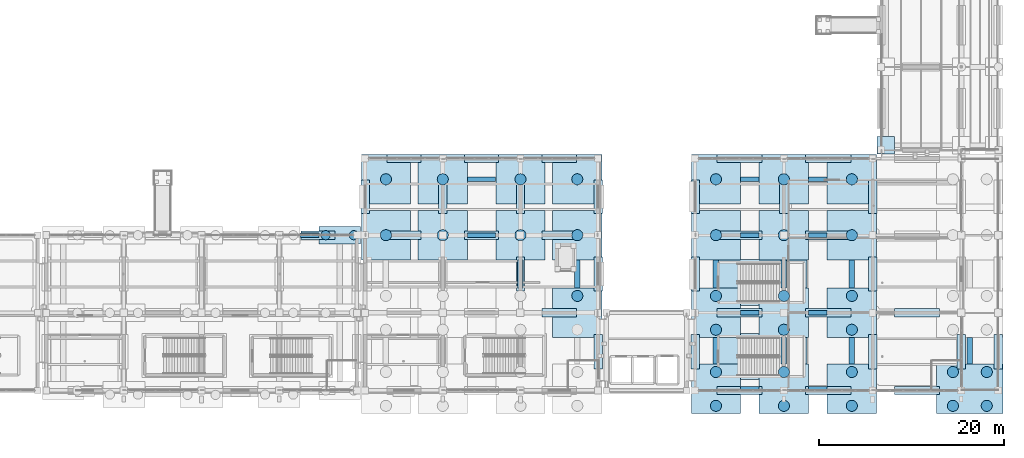
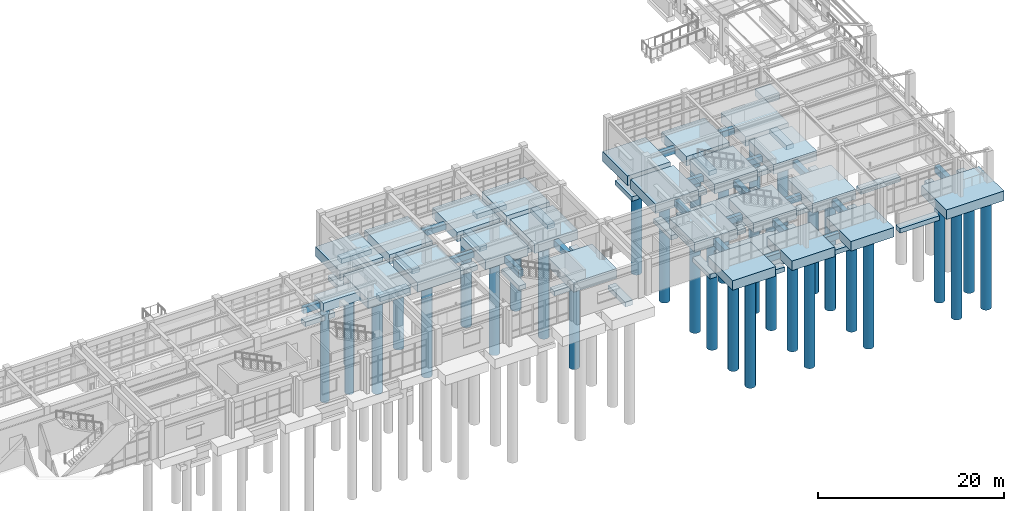
# One storey, part 2 of 111: 80 footings, 33 piles.
"""IFC4 building model written with IfcOpenShell, lengths in metres."""

from ifc_helpers import new_model, si_unit, direction, frame, origin, origin_2d, place, context, subcontext, project, spatial, rectangle, circle, extrude, material, material_profile, profile_set, type_object, element, save


model = new_model("IFC4")

# Units and contexts
model_context = context("Model", 3, precision=1e-05, world=origin(), true_north=direction((0.0, 1.0)))
body_context = subcontext(model_context, "Body", "Model", "MODEL_VIEW")
ifc_project = project(units=[si_unit("LENGTHUNIT", "METRE"), si_unit("AREAUNIT", "SQUARE_METRE"), si_unit("VOLUMEUNIT", "CUBIC_METRE"), si_unit("PLANEANGLEUNIT", "RADIAN"), si_unit("MASSUNIT", "GRAM", prefix="KILO")], contexts=[model_context])

# Site, building, storey
site_placement = place(None, origin())
site = spatial("IfcSite", under=ifc_project, at=site_placement, CompositionType="ELEMENT")
building_placement = place(site_placement, origin())
building = spatial("IfcBuilding", under=site, at=building_placement, Name="Canglan Escarpment Cableway Terminal", CompositionType="ELEMENT")
storey_placement = place(building_placement, frame((0.0, 0.0, 4.800048828125)))
storey = spatial("IfcBuildingStorey", under=building, at=storey_placement, Name="L01", CompositionType="ELEMENT", Elevation=4.800048828125)

# Footings
ifc_material = material(Name="Concrete C40", Category="concrete")
ifc_material_profile_1 = material_profile(ifc_material, rectangle(XDim=0.5, YDim=0.800048828125, at=origin_2d()), Name="FB 500x800")
ifc_profile_set_1 = profile_set([ifc_material_profile_1], Name="Concrete C40")
footing_type_1 = type_object("IfcFootingType", Name="FTG-BEAM-500x800", PredefinedType="FOOTING_BEAM", material=ifc_profile_set_1)
footing_1_placement = place(storey_placement, frame((104.467041015625, 24.800048828125, -0.699951171875), z_axis=(1.0, 0.0, 0.0), x_axis=(0.0, 1.0, 0.0)))
element("IfcFooting", 1, at=footing_1_placement, inside=storey, type_object=footing_type_1, Name="Reinforced concrete ground tie beam FB-01", PredefinedType="FOOTING_BEAM", context=body_context, shape_type="SweptSolid", body=[
    extrude(rectangle(XDim=0.5, YDim=0.800048828125, at=origin_2d()), origin(), (0.0, 0.0, 1.0), 2.02099609375),
])
for number, where, z_axis, x_axis, name in (
    (2, (122.572021484375, 24.800048828125, -0.699951171875), (1.0, 0.0, 0.0), (0.0, 1.0, 0.0), "Reinforced concrete ground tie beam FB-01"),
    (3, (122.572021484375, 30.85009765625, -0.699951171875), (1.0, 0.0, 0.0), (0.0, 1.0, 0.0), "Reinforced concrete ground tie beam FB-01"),
):
    element("IfcFooting", number, at=place(storey_placement, frame(where, z_axis=z_axis, x_axis=x_axis)), inside=storey, type_object=footing_type_1, Name=name, PredefinedType="FOOTING_BEAM", context=body_context, shape_type="SweptSolid", body=[
        extrude(rectangle(XDim=0.5, YDim=0.800048828125, at=origin_2d()), origin(), (0.0, 0.0, 1.0), 3.055908203125),
    ])
for number, where, z_axis, x_axis, name in (
    (4, (152.1220703125, 8.169921875, -0.699951171875), (1.0, 0.0, 0.0), (0.0, 1.0, 0.0), "Reinforced concrete ground tie beam FB-01"),
    (5, (152.1220703125, 16.39990234375, -0.699951171875), (1.0, 0.0, 0.0), (0.0, 1.0, 0.0), "Reinforced concrete ground tie beam FB-01"),
    (6, (152.1220703125, 24.800048828125, -0.699951171875), (1.0, 0.0, 0.0), (0.0, 1.0, 0.0), "Reinforced concrete ground tie beam FB-01"),
    (7, (152.1220703125, 30.85009765625, -0.699951171875), (1.0, 0.0, 0.0), (0.0, 1.0, 0.0), "Reinforced concrete ground tie beam FB-01"),
):
    element("IfcFooting", number, at=place(storey_placement, frame(where, z_axis=z_axis, x_axis=x_axis)), inside=storey, type_object=footing_type_1, Name=name, PredefinedType="FOOTING_BEAM", context=body_context, shape_type="SweptSolid", body=[
        extrude(rectangle(XDim=0.5, YDim=0.800048828125, at=origin_2d()), origin(), (0.0, 0.0, 1.0), 2.005859375),
    ])
for number, where, z_axis, x_axis, name in (
    (8, (159.471923828125, 8.169921875, -0.699951171875), (1.0, 0.0, 0.0), (0.0, 1.0, 0.0), "Reinforced concrete ground tie beam FB-01"),
    (9, (159.471923828125, 16.39990234375, -0.699951171875), (1.0, 0.0, 0.0), (0.0, 1.0, 0.0), "Reinforced concrete ground tie beam FB-01"),
    (10, (159.471923828125, 24.800048828125, -0.699951171875), (1.0, 0.0, 0.0), (0.0, 1.0, 0.0), "Reinforced concrete ground tie beam FB-01"),
    (11, (159.471923828125, 30.85009765625, -0.699951171875), (1.0, 0.0, 0.0), (0.0, 1.0, 0.0), "Reinforced concrete ground tie beam FB-01"),
):
    element("IfcFooting", number, at=place(storey_placement, frame(where, z_axis=z_axis, x_axis=x_axis)), inside=storey, type_object=footing_type_1, Name=name, PredefinedType="FOOTING_BEAM", context=body_context, shape_type="SweptSolid", body=[
        extrude(rectangle(XDim=0.5, YDim=0.800048828125, at=origin_2d()), origin(), (0.0, 0.0, 1.0), 2.006103515625),
    ])
ifc_material_profile_2 = material_profile(ifc_material, rectangle(XDim=0.60009765625, YDim=0.89990234375, at=origin_2d()), Name="FB 600x900")
ifc_profile_set_2 = profile_set([ifc_material_profile_2], Name="Concrete C40")
footing_type_2 = type_object("IfcFootingType", Name="FTG-BEAM-600x900", PredefinedType="FOOTING_BEAM", material=ifc_profile_set_2)
for number, where, z_axis, x_axis, name in (
    (12, (128.300048828125, 19.072021484375, -0.75), (0.0, 1.0, 0.0), (-1.0, 0.0, 0.0), "Reinforced concrete ground tie beam FB-02"),
    (13, (134.449951171875, 19.072021484375, -0.75), (0.0, 1.0, 0.0), (-1.0, 0.0, 0.0), "Reinforced concrete ground tie beam FB-02"),
):
    element("IfcFooting", number, at=place(storey_placement, frame(where, z_axis=z_axis, x_axis=x_axis)), inside=storey, type_object=footing_type_2, Name=name, PredefinedType="FOOTING_BEAM", context=body_context, shape_type="SweptSolid", body=[
        extrude(rectangle(XDim=0.60009765625, YDim=0.89990234375, at=origin_2d()), origin(), (0.0, 0.0, 1.0), 3.055908203125),
    ])
footing_2_placement = place(storey_placement, frame((149.449951171875, 10.842041015625, -0.75), z_axis=(0.0, 1.0, 0.0), x_axis=(-1.0, 0.0, 0.0)))
element("IfcFooting", 14, at=footing_2_placement, inside=storey, type_object=footing_type_2, Name="Reinforced concrete ground tie beam FB-02", PredefinedType="FOOTING_BEAM", context=body_context, shape_type="SweptSolid", body=[
    extrude(rectangle(XDim=0.60009765625, YDim=0.89990234375, at=origin_2d()), origin(), (0.0, 0.0, 1.0), 2.885986328125),
])
footing_3_placement = place(storey_placement, frame((149.449951171875, 19.072021484375, -0.75), z_axis=(0.0, 1.0, 0.0), x_axis=(-1.0, 0.0, 0.0)))
element("IfcFooting", 15, at=footing_3_placement, inside=storey, type_object=footing_type_2, Name="Reinforced concrete ground tie beam FB-02", PredefinedType="FOOTING_BEAM", context=body_context, shape_type="SweptSolid", body=[
    extrude(rectangle(XDim=0.60009765625, YDim=0.89990234375, at=origin_2d()), origin(), (0.0, 0.0, 1.0), 3.055908203125),
])
footing_4_placement = place(storey_placement, frame((156.800048828125, 10.842041015625, -0.75), z_axis=(0.0, 1.0, 0.0), x_axis=(-1.0, 0.0, 0.0)))
element("IfcFooting", 16, at=footing_4_placement, inside=storey, type_object=footing_type_2, Name="Reinforced concrete ground tie beam FB-02", PredefinedType="FOOTING_BEAM", context=body_context, shape_type="SweptSolid", body=[
    extrude(rectangle(XDim=0.60009765625, YDim=0.89990234375, at=origin_2d()), origin(), (0.0, 0.0, 1.0), 2.885986328125),
])
footing_5_placement = place(storey_placement, frame((156.800048828125, 19.072021484375, -0.75), z_axis=(0.0, 1.0, 0.0), x_axis=(-1.0, 0.0, 0.0)))
element("IfcFooting", 17, at=footing_5_placement, inside=storey, type_object=footing_type_2, Name="Reinforced concrete ground tie beam FB-02", PredefinedType="FOOTING_BEAM", context=body_context, shape_type="SweptSolid", body=[
    extrude(rectangle(XDim=0.60009765625, YDim=0.89990234375, at=origin_2d()), origin(), (0.0, 0.0, 1.0), 3.055908203125),
])
footing_6_placement = place(storey_placement, frame((164.14990234375, 10.842041015625, -0.75), z_axis=(0.0, 1.0, 0.0), x_axis=(-1.0, 0.0, 0.0)))
element("IfcFooting", 18, at=footing_6_placement, inside=storey, type_object=footing_type_2, Name="Reinforced concrete ground tie beam FB-02", PredefinedType="FOOTING_BEAM", context=body_context, shape_type="SweptSolid", body=[
    extrude(rectangle(XDim=0.60009765625, YDim=0.89990234375, at=origin_2d()), origin(), (0.0, 0.0, 1.0), 2.885986328125),
])
footing_7_placement = place(storey_placement, frame((164.14990234375, 19.072021484375, -0.75), z_axis=(0.0, 1.0, 0.0), x_axis=(-1.0, 0.0, 0.0)))
element("IfcFooting", 19, at=footing_7_placement, inside=storey, type_object=footing_type_2, Name="Reinforced concrete ground tie beam FB-02", PredefinedType="FOOTING_BEAM", context=body_context, shape_type="SweptSolid", body=[
    extrude(rectangle(XDim=0.60009765625, YDim=0.89990234375, at=origin_2d()), origin(), (0.0, 0.0, 1.0), 3.055908203125),
])
footing_8_placement = place(storey_placement, frame((176.9150390625, 10.842041015625, -0.75), z_axis=(0.0, 1.0, 0.0), x_axis=(-1.0, 0.0, 0.0)))
element("IfcFooting", 20, at=footing_8_placement, inside=storey, type_object=footing_type_2, Name="Reinforced concrete ground tie beam FB-02", PredefinedType="FOOTING_BEAM", context=body_context, shape_type="SweptSolid", body=[
    extrude(rectangle(XDim=0.60009765625, YDim=0.89990234375, at=origin_2d()), origin(), (0.0, 0.0, 1.0), 2.885986328125),
])
footing_type_3 = type_object("IfcFootingType", Name="FTG-CAP-4530x1920x1150", PredefinedType="PILE_CAP", material=ifc_material)
footing_9_placement = place(storey_placement, frame((108.7548828125, 24.800048828125, -1.14990234375), z_axis=(0.0, 0.0, 1.0), x_axis=(1.0, 0.0, 0.0)))
element("IfcFooting", 21, at=footing_9_placement, inside=storey, type_object=footing_type_3, Name="Reinforced concrete pile cap PC-04", PredefinedType="PILE_CAP", context=body_context, shape_type="SweptSolid", body=[
    extrude(rectangle(XDim=4.530029296875, YDim=1.919921875, at=origin_2d()), origin(), (0.0, 0.0, 1.0), 1.14990234375),
])
footing_type_4 = type_object("IfcFootingType", Name="FTG-CAP-5340x5340x1260", PredefinedType="PILE_CAP", material=ifc_material)
for number, where, z_axis, x_axis, name in (
    (22, (113.75, 24.800048828125, -1.26025390625), (0.0, 0.0, 1.0), (1.0, 0.0, 0.0), "Reinforced concrete pile cap PC-07"),
    (23, (113.75, 30.85009765625, -1.26025390625), (0.0, 0.0, 1.0), (1.0, 0.0, 0.0), "Reinforced concrete pile cap PC-07"),
    (24, (119.89990234375, 24.800048828125, -1.26025390625), (0.0, 0.0, 1.0), (1.0, 0.0, 0.0), "Reinforced concrete pile cap PC-07"),
    (25, (119.89990234375, 30.85009765625, -1.26025390625), (0.0, 0.0, 1.0), (1.0, 0.0, 0.0), "Reinforced concrete pile cap PC-07"),
    (26, (128.300048828125, 24.800048828125, -1.26025390625), (0.0, 0.0, 1.0), (1.0, 0.0, 0.0), "Reinforced concrete pile cap PC-07"),
    (27, (128.300048828125, 30.85009765625, -1.26025390625), (0.0, 0.0, 1.0), (1.0, 0.0, 0.0), "Reinforced concrete pile cap PC-07"),
    (28, (134.449951171875, 16.39990234375, -1.26025390625), (0.0, 0.0, 1.0), (1.0, 0.0, 0.0), "Reinforced concrete pile cap PC-07"),
    (29, (134.449951171875, 24.800048828125, -1.26025390625), (0.0, 0.0, 1.0), (1.0, 0.0, 0.0), "Reinforced concrete pile cap PC-07"),
    (30, (134.449951171875, 30.85009765625, -1.26025390625), (0.0, 0.0, 1.0), (1.0, 0.0, 0.0), "Reinforced concrete pile cap PC-07"),
    (31, (149.449951171875, 8.169921875, -1.26025390625), (0.0, 0.0, 1.0), (1.0, 0.0, 0.0), "Reinforced concrete pile cap PC-07"),
    (32, (149.449951171875, 16.39990234375, -1.26025390625), (0.0, 0.0, 1.0), (1.0, 0.0, 0.0), "Reinforced concrete pile cap PC-07"),
    (33, (149.449951171875, 24.800048828125, -1.26025390625), (0.0, 0.0, 1.0), (1.0, 0.0, 0.0), "Reinforced concrete pile cap PC-07"),
    (34, (149.449951171875, 30.85009765625, -1.26025390625), (0.0, 0.0, 1.0), (1.0, 0.0, 0.0), "Reinforced concrete pile cap PC-07"),
    (35, (156.800048828125, 8.169921875, -1.26025390625), (0.0, 0.0, 1.0), (1.0, 0.0, 0.0), "Reinforced concrete pile cap PC-07"),
    (36, (156.800048828125, 16.39990234375, -1.26025390625), (0.0, 0.0, 1.0), (1.0, 0.0, 0.0), "Reinforced concrete pile cap PC-07"),
    (37, (156.800048828125, 24.800048828125, -1.26025390625), (0.0, 0.0, 1.0), (1.0, 0.0, 0.0), "Reinforced concrete pile cap PC-07"),
    (38, (156.800048828125, 30.85009765625, -1.26025390625), (0.0, 0.0, 1.0), (1.0, 0.0, 0.0), "Reinforced concrete pile cap PC-07"),
    (39, (164.14990234375, 8.169921875, -1.26025390625), (0.0, 0.0, 1.0), (1.0, 0.0, 0.0), "Reinforced concrete pile cap PC-07"),
    (40, (164.14990234375, 16.39990234375, -1.26025390625), (0.0, 0.0, 1.0), (1.0, 0.0, 0.0), "Reinforced concrete pile cap PC-07"),
    (41, (164.14990234375, 24.800048828125, -1.26025390625), (0.0, 0.0, 1.0), (1.0, 0.0, 0.0), "Reinforced concrete pile cap PC-07"),
    (42, (164.14990234375, 30.85009765625, -1.26025390625), (0.0, 0.0, 1.0), (1.0, 0.0, 0.0), "Reinforced concrete pile cap PC-07"),
):
    element("IfcFooting", number, at=place(storey_placement, frame(where, z_axis=z_axis, x_axis=x_axis)), inside=storey, type_object=footing_type_4, Name=name, PredefinedType="PILE_CAP", context=body_context, shape_type="SweptSolid", body=[
        extrude(rectangle(XDim=5.340087890625, YDim=5.340087890625, at=origin_2d()), origin(), (0.0, 0.0, 1.0), 1.260009765625),
    ])
footing_type_5 = type_object("IfcFootingType", Name="FTG-CAP-7170x5340x1260", PredefinedType="PILE_CAP", material=ifc_material)
footing_10_placement = place(storey_placement, frame((176.9150390625, 8.169921875, -1.26025390625), z_axis=(0.0, 0.0, 1.0), x_axis=(1.0, 0.0, 0.0)))
element("IfcFooting", 43, at=footing_10_placement, inside=storey, type_object=footing_type_5, Name="Reinforced concrete pile cap PC-09", PredefinedType="PILE_CAP", context=body_context, shape_type="SweptSolid", body=[
    extrude(rectangle(XDim=7.169921875, YDim=5.340087890625, at=origin_2d()), origin(), (0.0, 0.0, 1.0), 1.260009765625),
])
footing_type_6 = type_object("IfcFootingType", Name="FTG-PAD-1900x1900x900", PredefinedType="PAD_FOOTING", material=ifc_material)
footing_11_placement = place(storey_placement, frame((167.830078125, 34.530029296875, -0.89990234375), z_axis=(0.0, 0.0, 1.0), x_axis=(1.0, 0.0, 0.0)))
element("IfcFooting", 44, at=footing_11_placement, inside=storey, type_object=footing_type_6, Name="Reinforced concrete pad footing PF-01", PredefinedType="PAD_FOOTING", context=body_context, shape_type="SweptSolid", body=[
    extrude(rectangle(XDim=1.89990234375, YDim=1.89990234375, at=origin_2d()), origin(), (0.0, 0.0, 1.0), 0.89990234375),
])
footing_type_7 = type_object("IfcFootingType", Name="FTG-PAD-9940x4990x700", PredefinedType="PAD_FOOTING", material=ifc_material)
for number, where, z_axis, x_axis, name in (
    (45, (154.35009765625, 11.675048828125, -2.7998046875), (0.0, 0.0, 1.0), (1.0, 0.0, 0.0), "Reinforced concrete auxiliary pad footing PF-06"),
    (46, (154.35009765625, 19.675048828125, -2.7998046875), (0.0, 0.0, 1.0), (1.0, 0.0, 0.0), "Reinforced concrete auxiliary pad footing PF-06"),
):
    element("IfcFooting", number, at=place(storey_placement, frame(where, z_axis=z_axis, x_axis=x_axis)), inside=storey, type_object=footing_type_7, Name=name, PredefinedType="PAD_FOOTING", context=body_context, shape_type="SweptSolid", body=[
        extrude(rectangle(XDim=9.93994140625, YDim=4.989990234375, at=origin_2d()), origin(), (0.0, 0.0, 1.0), 0.699951171875),
    ])
ifc_material_profile_3 = material_profile(ifc_material, rectangle(XDim=0.89990234375, YDim=0.60009765625, at=origin_2d()), Name="SF 900x600")
ifc_profile_set_3 = profile_set([ifc_material_profile_3], Name="Concrete C40")
footing_type_8 = type_object("IfcFootingType", Name="FTG-STRIP-900x600", PredefinedType="STRIP_FOOTING", material=ifc_profile_set_3)
footing_12_placement = place(storey_placement, frame((104.550048828125, 24.800048828125, -2.400146484375), z_axis=(1.0, 0.0, 0.0), x_axis=(0.0, 1.0, 0.0)))
element("IfcFooting", 47, at=footing_12_placement, inside=storey, type_object=footing_type_8, Name="Bench foundation strip footing SF-F1", PredefinedType="STRIP_FOOTING", context=body_context, shape_type="SweptSolid", body=[
    extrude(rectangle(XDim=0.89990234375, YDim=0.60009765625, at=origin_2d()), origin(), (0.0, 0.0, 1.0), 3.699951171875),
])
footing_13_placement = place(storey_placement, frame((130.64990234375, 16.39990234375, -2.400146484375), z_axis=(1.0, 0.0, 0.0), x_axis=(0.0, 1.0, 0.0)))
element("IfcFooting", 48, at=footing_13_placement, inside=storey, type_object=footing_type_8, Name="Bench foundation strip footing SF-F1", PredefinedType="STRIP_FOOTING", context=body_context, shape_type="SweptSolid", body=[
    extrude(rectangle(XDim=0.89990234375, YDim=0.60009765625, at=origin_2d()), origin(), (0.0, 0.0, 1.0), 3.7001953125),
])
for number, where, z_axis, x_axis, name in (
    (49, (113.85009765625, 24.800048828125, -2.400146484375), (1.0, 0.0, 0.0), (0.0, 1.0, 0.0), "Bench foundation strip footing SF-F1"),
    (50, (122.25, 24.800048828125, -2.400146484375), (1.0, 0.0, 0.0), (0.0, 1.0, 0.0), "Bench foundation strip footing SF-F1"),
):
    element("IfcFooting", number, at=place(storey_placement, frame(where, z_axis=z_axis, x_axis=x_axis)), inside=storey, type_object=footing_type_8, Name=name, PredefinedType="STRIP_FOOTING", context=body_context, shape_type="SweptSolid", body=[
        extrude(rectangle(XDim=0.89990234375, YDim=0.60009765625, at=origin_2d()), origin(), (0.0, 0.0, 1.0), 3.699951171875),
    ])
footing_14_placement = place(storey_placement, frame((130.64990234375, 24.800048828125, -2.400146484375), z_axis=(1.0, 0.0, 0.0), x_axis=(0.0, 1.0, 0.0)))
element("IfcFooting", 51, at=footing_14_placement, inside=storey, type_object=footing_type_8, Name="Bench foundation strip footing SF-F1", PredefinedType="STRIP_FOOTING", context=body_context, shape_type="SweptSolid", body=[
    extrude(rectangle(XDim=0.89990234375, YDim=0.60009765625, at=origin_2d()), origin(), (0.0, 0.0, 1.0), 3.7001953125),
])
for number, where, z_axis, x_axis, name in (
    (52, (113.85009765625, 33.10009765625, -2.400146484375), (1.0, 0.0, 0.0), (0.0, 1.0, 0.0), "Bench foundation strip footing SF-F1"),
    (53, (122.25, 33.10009765625, -2.400146484375), (1.0, 0.0, 0.0), (0.0, 1.0, 0.0), "Bench foundation strip footing SF-F1"),
):
    element("IfcFooting", number, at=place(storey_placement, frame(where, z_axis=z_axis, x_axis=x_axis)), inside=storey, type_object=footing_type_8, Name=name, PredefinedType="STRIP_FOOTING", context=body_context, shape_type="SweptSolid", body=[
        extrude(rectangle(XDim=0.89990234375, YDim=0.60009765625, at=origin_2d()), origin(), (0.0, 0.0, 1.0), 3.699951171875),
    ])
footing_15_placement = place(storey_placement, frame((130.64990234375, 33.10009765625, -2.400146484375), z_axis=(1.0, 0.0, 0.0), x_axis=(0.0, 1.0, 0.0)))
element("IfcFooting", 54, at=footing_15_placement, inside=storey, type_object=footing_type_8, Name="Bench foundation strip footing SF-F1", PredefinedType="STRIP_FOOTING", context=body_context, shape_type="SweptSolid", body=[
    extrude(rectangle(XDim=0.89990234375, YDim=0.60009765625, at=origin_2d()), origin(), (0.0, 0.0, 1.0), 3.7001953125),
])
for number, where, z_axis, x_axis, name in (
    (55, (111.5, 27.14990234375, -2.400146484375), (0.0, 1.0, 0.0), (-1.0, 0.0, 0.0), "Bench foundation strip footing SF-F1"),
    (56, (119.89990234375, 27.14990234375, -2.400146484375), (0.0, 1.0, 0.0), (-1.0, 0.0, 0.0), "Bench foundation strip footing SF-F1"),
):
    element("IfcFooting", number, at=place(storey_placement, frame(where, z_axis=z_axis, x_axis=x_axis)), inside=storey, type_object=footing_type_8, Name=name, PredefinedType="STRIP_FOOTING", context=body_context, shape_type="SweptSolid", body=[
        extrude(rectangle(XDim=0.89990234375, YDim=0.60009765625, at=origin_2d()), origin(), (0.0, 0.0, 1.0), 3.60009765625),
    ])
footing_16_placement = place(storey_placement, frame((128.300048828125, 18.75, -2.400146484375), z_axis=(0.0, 1.0, 0.0), x_axis=(-1.0, 0.0, 0.0)))
element("IfcFooting", 57, at=footing_16_placement, inside=storey, type_object=footing_type_8, Name="Bench foundation strip footing SF-F1", PredefinedType="STRIP_FOOTING", context=body_context, shape_type="SweptSolid", body=[
    extrude(rectangle(XDim=0.89990234375, YDim=0.60009765625, at=origin_2d()), origin(), (0.0, 0.0, 1.0), 3.699951171875),
])
footing_17_placement = place(storey_placement, frame((128.300048828125, 27.14990234375, -2.400146484375), z_axis=(0.0, 1.0, 0.0), x_axis=(-1.0, 0.0, 0.0)))
element("IfcFooting", 58, at=footing_17_placement, inside=storey, type_object=footing_type_8, Name="Bench foundation strip footing SF-F1", PredefinedType="STRIP_FOOTING", context=body_context, shape_type="SweptSolid", body=[
    extrude(rectangle(XDim=0.89990234375, YDim=0.60009765625, at=origin_2d()), origin(), (0.0, 0.0, 1.0), 3.60009765625),
])
for number, where, z_axis, x_axis, name in (
    (59, (136.699951171875, 10.35009765625, -2.400146484375), (0.0, 1.0, 0.0), (-1.0, 0.0, 0.0), "Bench foundation strip footing SF-F1"),
    (60, (136.699951171875, 18.75, -2.400146484375), (0.0, 1.0, 0.0), (-1.0, 0.0, 0.0), "Bench foundation strip footing SF-F1"),
):
    element("IfcFooting", number, at=place(storey_placement, frame(where, z_axis=z_axis, x_axis=x_axis)), inside=storey, type_object=footing_type_8, Name=name, PredefinedType="STRIP_FOOTING", context=body_context, shape_type="SweptSolid", body=[
        extrude(rectangle(XDim=0.89990234375, YDim=0.60009765625, at=origin_2d()), origin(), (0.0, 0.0, 1.0), 3.699951171875),
    ])
footing_18_placement = place(storey_placement, frame((136.699951171875, 27.14990234375, -2.400146484375), z_axis=(0.0, 1.0, 0.0), x_axis=(-1.0, 0.0, 0.0)))
element("IfcFooting", 61, at=footing_18_placement, inside=storey, type_object=footing_type_8, Name="Bench foundation strip footing SF-F1", PredefinedType="STRIP_FOOTING", context=body_context, shape_type="SweptSolid", body=[
    extrude(rectangle(XDim=0.89990234375, YDim=0.60009765625, at=origin_2d()), origin(), (0.0, 0.0, 1.0), 3.60009765625),
])
footing_19_placement = place(storey_placement, frame((149.550048828125, 8.0, -2.400146484375), z_axis=(1.0, 0.0, 0.0), x_axis=(0.0, 1.0, 0.0)))
element("IfcFooting", 62, at=footing_19_placement, inside=storey, type_object=footing_type_8, Name="Bench foundation strip footing SF-F1", PredefinedType="STRIP_FOOTING", context=body_context, shape_type="SweptSolid", body=[
    extrude(rectangle(XDim=0.89990234375, YDim=0.60009765625, at=origin_2d()), origin(), (0.0, 0.0, 1.0), 4.89990234375),
])
footing_20_placement = place(storey_placement, frame((159.14990234375, 8.0, -2.400146484375), z_axis=(1.0, 0.0, 0.0), x_axis=(0.0, 1.0, 0.0)))
element("IfcFooting", 63, at=footing_20_placement, inside=storey, type_object=footing_type_8, Name="Bench foundation strip footing SF-F1", PredefinedType="STRIP_FOOTING", context=body_context, shape_type="SweptSolid", body=[
    extrude(rectangle(XDim=0.89990234375, YDim=0.60009765625, at=origin_2d()), origin(), (0.0, 0.0, 1.0), 4.900146484375),
])
for number, where, z_axis, x_axis, name in (
    (64, (168.75, 8.0, -2.400146484375), (1.0, 0.0, 0.0), (0.0, 1.0, 0.0), "Bench foundation strip footing SF-F1"),
    (65, (149.550048828125, 16.39990234375, -2.400146484375), (1.0, 0.0, 0.0), (0.0, 1.0, 0.0), "Bench foundation strip footing SF-F1"),
):
    element("IfcFooting", number, at=place(storey_placement, frame(where, z_axis=z_axis, x_axis=x_axis)), inside=storey, type_object=footing_type_8, Name=name, PredefinedType="STRIP_FOOTING", context=body_context, shape_type="SweptSolid", body=[
        extrude(rectangle(XDim=0.89990234375, YDim=0.60009765625, at=origin_2d()), origin(), (0.0, 0.0, 1.0), 4.89990234375),
    ])
footing_21_placement = place(storey_placement, frame((159.14990234375, 16.39990234375, -2.400146484375), z_axis=(1.0, 0.0, 0.0), x_axis=(0.0, 1.0, 0.0)))
element("IfcFooting", 66, at=footing_21_placement, inside=storey, type_object=footing_type_8, Name="Bench foundation strip footing SF-F1", PredefinedType="STRIP_FOOTING", context=body_context, shape_type="SweptSolid", body=[
    extrude(rectangle(XDim=0.89990234375, YDim=0.60009765625, at=origin_2d()), origin(), (0.0, 0.0, 1.0), 4.900146484375),
])
for number, where, z_axis, x_axis, name in (
    (67, (168.75, 16.39990234375, -2.400146484375), (1.0, 0.0, 0.0), (0.0, 1.0, 0.0), "Bench foundation strip footing SF-F1"),
    (68, (149.550048828125, 24.800048828125, -2.400146484375), (1.0, 0.0, 0.0), (0.0, 1.0, 0.0), "Bench foundation strip footing SF-F1"),
):
    element("IfcFooting", number, at=place(storey_placement, frame(where, z_axis=z_axis, x_axis=x_axis)), inside=storey, type_object=footing_type_8, Name=name, PredefinedType="STRIP_FOOTING", context=body_context, shape_type="SweptSolid", body=[
        extrude(rectangle(XDim=0.89990234375, YDim=0.60009765625, at=origin_2d()), origin(), (0.0, 0.0, 1.0), 4.89990234375),
    ])
footing_22_placement = place(storey_placement, frame((159.14990234375, 24.800048828125, -2.400146484375), z_axis=(1.0, 0.0, 0.0), x_axis=(0.0, 1.0, 0.0)))
element("IfcFooting", 69, at=footing_22_placement, inside=storey, type_object=footing_type_8, Name="Bench foundation strip footing SF-F1", PredefinedType="STRIP_FOOTING", context=body_context, shape_type="SweptSolid", body=[
    extrude(rectangle(XDim=0.89990234375, YDim=0.60009765625, at=origin_2d()), origin(), (0.0, 0.0, 1.0), 4.900146484375),
])
footing_23_placement = place(storey_placement, frame((149.550048828125, 33.10009765625, -2.400146484375), z_axis=(1.0, 0.0, 0.0), x_axis=(0.0, 1.0, 0.0)))
element("IfcFooting", 70, at=footing_23_placement, inside=storey, type_object=footing_type_8, Name="Bench foundation strip footing SF-F1", PredefinedType="STRIP_FOOTING", context=body_context, shape_type="SweptSolid", body=[
    extrude(rectangle(XDim=0.89990234375, YDim=0.60009765625, at=origin_2d()), origin(), (0.0, 0.0, 1.0), 4.89990234375),
])
footing_24_placement = place(storey_placement, frame((159.14990234375, 33.10009765625, -2.400146484375), z_axis=(1.0, 0.0, 0.0), x_axis=(0.0, 1.0, 0.0)))
element("IfcFooting", 71, at=footing_24_placement, inside=storey, type_object=footing_type_8, Name="Bench foundation strip footing SF-F1", PredefinedType="STRIP_FOOTING", context=body_context, shape_type="SweptSolid", body=[
    extrude(rectangle(XDim=0.89990234375, YDim=0.60009765625, at=origin_2d()), origin(), (0.0, 0.0, 1.0), 4.900146484375),
])
for number, where, z_axis, x_axis, name in (
    (72, (147.199951171875, 10.35009765625, -2.400146484375), (0.0, 1.0, 0.0), (-1.0, 0.0, 0.0), "Bench foundation strip footing SF-F1"),
    (73, (147.199951171875, 18.75, -2.400146484375), (0.0, 1.0, 0.0), (-1.0, 0.0, 0.0), "Bench foundation strip footing SF-F1"),
):
    element("IfcFooting", number, at=place(storey_placement, frame(where, z_axis=z_axis, x_axis=x_axis)), inside=storey, type_object=footing_type_8, Name=name, PredefinedType="STRIP_FOOTING", context=body_context, shape_type="SweptSolid", body=[
        extrude(rectangle(XDim=0.89990234375, YDim=0.60009765625, at=origin_2d()), origin(), (0.0, 0.0, 1.0), 3.699951171875),
    ])
for number, where, z_axis, x_axis, name in (
    (74, (147.199951171875, 27.14990234375, -2.400146484375), (0.0, 1.0, 0.0), (-1.0, 0.0, 0.0), "Bench foundation strip footing SF-F1"),
    (75, (156.800048828125, 27.14990234375, -2.400146484375), (0.0, 1.0, 0.0), (-1.0, 0.0, 0.0), "Bench foundation strip footing SF-F1"),
):
    element("IfcFooting", number, at=place(storey_placement, frame(where, z_axis=z_axis, x_axis=x_axis)), inside=storey, type_object=footing_type_8, Name=name, PredefinedType="STRIP_FOOTING", context=body_context, shape_type="SweptSolid", body=[
        extrude(rectangle(XDim=0.89990234375, YDim=0.60009765625, at=origin_2d()), origin(), (0.0, 0.0, 1.0), 3.60009765625),
    ])
for number, where, z_axis, x_axis, name in (
    (76, (166.39990234375, 10.35009765625, -2.400146484375), (0.0, 1.0, 0.0), (-1.0, 0.0, 0.0), "Bench foundation strip footing SF-F1"),
    (77, (166.39990234375, 18.75, -2.400146484375), (0.0, 1.0, 0.0), (-1.0, 0.0, 0.0), "Bench foundation strip footing SF-F1"),
):
    element("IfcFooting", number, at=place(storey_placement, frame(where, z_axis=z_axis, x_axis=x_axis)), inside=storey, type_object=footing_type_8, Name=name, PredefinedType="STRIP_FOOTING", context=body_context, shape_type="SweptSolid", body=[
        extrude(rectangle(XDim=0.89990234375, YDim=0.60009765625, at=origin_2d()), origin(), (0.0, 0.0, 1.0), 3.699951171875),
    ])
footing_25_placement = place(storey_placement, frame((166.39990234375, 27.14990234375, -2.400146484375), z_axis=(0.0, 1.0, 0.0), x_axis=(-1.0, 0.0, 0.0)))
element("IfcFooting", 78, at=footing_25_placement, inside=storey, type_object=footing_type_8, Name="Bench foundation strip footing SF-F1", PredefinedType="STRIP_FOOTING", context=body_context, shape_type="SweptSolid", body=[
    extrude(rectangle(XDim=0.89990234375, YDim=0.60009765625, at=origin_2d()), origin(), (0.0, 0.0, 1.0), 3.60009765625),
])
for number, where, z_axis, x_axis, name in (
    (79, (176.0, 10.35009765625, -2.400146484375), (0.0, 1.0, 0.0), (-1.0, 0.0, 0.0), "Bench foundation strip footing SF-F1"),
    (80, (180.0, 10.35009765625, -2.400146484375), (0.0, 1.0, 0.0), (-1.0, 0.0, 0.0), "Bench foundation strip footing SF-F1"),
):
    element("IfcFooting", number, at=place(storey_placement, frame(where, z_axis=z_axis, x_axis=x_axis)), inside=storey, type_object=footing_type_8, Name=name, PredefinedType="STRIP_FOOTING", context=body_context, shape_type="SweptSolid", body=[
        extrude(rectangle(XDim=0.89990234375, YDim=0.60009765625, at=origin_2d()), origin(), (0.0, 0.0, 1.0), 3.699951171875),
    ])

# Piles
ifc_material_profile_4 = material_profile(ifc_material, circle(Radius=0.5, at=origin_2d()), Name="BORED PILE D1000")
ifc_profile_set_4 = profile_set([ifc_material_profile_4], Name="Concrete C40")
pile_type_1 = type_object("IfcPileType", Name="PILE-D1000", PredefinedType="BORED", material=ifc_profile_set_4)
for number, where, z_axis, x_axis, name in (
    (81, (107.22998046875, 24.800048828125, -1.050048828125), (0.0, 0.0, -1.0), (1.0, 0.0, 0.0), "Rock-socketed bored pile P-03"),
    (82, (110.280029296875, 24.800048828125, -1.050048828125), (0.0, 0.0, -1.0), (1.0, 0.0, 0.0), "Rock-socketed bored pile P-03"),
):
    element("IfcPile", number, at=place(storey_placement, frame(where, z_axis=z_axis, x_axis=x_axis)), inside=storey, type_object=pile_type_1, Name=name, PredefinedType="BORED", context=body_context, shape_type="SweptSolid", body=[
        extrude(circle(Radius=0.5, at=origin_2d()), origin(), (0.0, 0.0, 1.0), 12.5),
    ])
ifc_material_profile_5 = material_profile(ifc_material, circle(Radius=0.60009765625, at=origin_2d()), Name="BORED PILE D1200")
ifc_profile_set_5 = profile_set([ifc_material_profile_5], Name="Concrete C40")
pile_type_2 = type_object("IfcPileType", Name="PILE-D1200", PredefinedType="BORED", material=ifc_profile_set_5)
for number, where, z_axis, x_axis, name in (
    (83, (113.75, 24.800048828125, -1.16015625), (0.0, 0.0, -1.0), (1.0, 0.0, 0.0), "Rock-socketed bored pile P-04"),
    (84, (113.75, 30.85009765625, -1.16015625), (0.0, 0.0, -1.0), (1.0, 0.0, 0.0), "Rock-socketed bored pile P-04"),
    (85, (119.89990234375, 24.800048828125, -1.16015625), (0.0, 0.0, -1.0), (1.0, 0.0, 0.0), "Rock-socketed bored pile P-04"),
    (86, (119.89990234375, 30.85009765625, -1.16015625), (0.0, 0.0, -1.0), (1.0, 0.0, 0.0), "Rock-socketed bored pile P-04"),
    (87, (128.300048828125, 24.800048828125, -1.16015625), (0.0, 0.0, -1.0), (1.0, 0.0, 0.0), "Rock-socketed bored pile P-04"),
    (88, (128.300048828125, 30.85009765625, -1.16015625), (0.0, 0.0, -1.0), (1.0, 0.0, 0.0), "Rock-socketed bored pile P-04"),
    (89, (134.449951171875, 18.22998046875, -1.16015625), (0.0, 0.0, -1.0), (1.0, 0.0, 0.0), "Rock-socketed bored pile P-04"),
    (90, (134.449951171875, 24.800048828125, -1.16015625), (0.0, 0.0, -1.0), (1.0, 0.0, 0.0), "Rock-socketed bored pile P-04"),
    (91, (134.449951171875, 30.85009765625, -1.16015625), (0.0, 0.0, -1.0), (1.0, 0.0, 0.0), "Rock-socketed bored pile P-04"),
):
    element("IfcPile", number, at=place(storey_placement, frame(where, z_axis=z_axis, x_axis=x_axis)), inside=storey, type_object=pile_type_2, Name=name, PredefinedType="BORED", context=body_context, shape_type="SweptSolid", body=[
        extrude(circle(Radius=0.60009765625, at=origin_2d()), origin(), (0.0, 0.0, 1.0), 13.5),
    ])
for number, where, z_axis, x_axis, name in (
    (92, (149.449951171875, 6.340087890625, -1.16015625), (0.0, 0.0, -1.0), (1.0, 0.0, 0.0), "Rock-socketed bored pile P-04"),
    (93, (149.449951171875, 10.0, -1.16015625), (0.0, 0.0, -1.0), (1.0, 0.0, 0.0), "Rock-socketed bored pile P-04"),
    (94, (149.449951171875, 14.570068359375, -1.16015625), (0.0, 0.0, -1.0), (1.0, 0.0, 0.0), "Rock-socketed bored pile P-04"),
    (95, (149.449951171875, 18.22998046875, -1.16015625), (0.0, 0.0, -1.0), (1.0, 0.0, 0.0), "Rock-socketed bored pile P-04"),
    (96, (149.449951171875, 24.800048828125, -1.16015625), (0.0, 0.0, -1.0), (1.0, 0.0, 0.0), "Rock-socketed bored pile P-04"),
    (97, (149.449951171875, 30.85009765625, -1.16015625), (0.0, 0.0, -1.0), (1.0, 0.0, 0.0), "Rock-socketed bored pile P-04"),
    (98, (156.800048828125, 6.340087890625, -1.16015625), (0.0, 0.0, -1.0), (1.0, 0.0, 0.0), "Rock-socketed bored pile P-04"),
    (99, (156.800048828125, 10.0, -1.16015625), (0.0, 0.0, -1.0), (1.0, 0.0, 0.0), "Rock-socketed bored pile P-04"),
    (100, (156.800048828125, 14.570068359375, -1.16015625), (0.0, 0.0, -1.0), (1.0, 0.0, 0.0), "Rock-socketed bored pile P-04"),
    (101, (156.800048828125, 18.22998046875, -1.16015625), (0.0, 0.0, -1.0), (1.0, 0.0, 0.0), "Rock-socketed bored pile P-04"),
    (102, (156.800048828125, 24.800048828125, -1.16015625), (0.0, 0.0, -1.0), (1.0, 0.0, 0.0), "Rock-socketed bored pile P-04"),
    (103, (156.800048828125, 30.85009765625, -1.16015625), (0.0, 0.0, -1.0), (1.0, 0.0, 0.0), "Rock-socketed bored pile P-04"),
    (104, (164.14990234375, 6.340087890625, -1.16015625), (0.0, 0.0, -1.0), (1.0, 0.0, 0.0), "Rock-socketed bored pile P-04"),
    (105, (164.14990234375, 10.0, -1.16015625), (0.0, 0.0, -1.0), (1.0, 0.0, 0.0), "Rock-socketed bored pile P-04"),
    (106, (164.14990234375, 14.570068359375, -1.16015625), (0.0, 0.0, -1.0), (1.0, 0.0, 0.0), "Rock-socketed bored pile P-04"),
    (107, (164.14990234375, 18.22998046875, -1.16015625), (0.0, 0.0, -1.0), (1.0, 0.0, 0.0), "Rock-socketed bored pile P-04"),
    (108, (164.14990234375, 24.800048828125, -1.16015625), (0.0, 0.0, -1.0), (1.0, 0.0, 0.0), "Rock-socketed bored pile P-04"),
    (109, (164.14990234375, 30.85009765625, -1.16015625), (0.0, 0.0, -1.0), (1.0, 0.0, 0.0), "Rock-socketed bored pile P-04"),
    (110, (175.0849609375, 6.340087890625, -1.16015625), (0.0, 0.0, -1.0), (1.0, 0.0, 0.0), "Rock-socketed bored pile P-04"),
    (111, (175.0849609375, 10.0, -1.16015625), (0.0, 0.0, -1.0), (1.0, 0.0, 0.0), "Rock-socketed bored pile P-04"),
    (112, (178.7451171875, 6.340087890625, -1.16015625), (0.0, 0.0, -1.0), (1.0, 0.0, 0.0), "Rock-socketed bored pile P-04"),
    (113, (178.7451171875, 10.0, -1.16015625), (0.0, 0.0, -1.0), (1.0, 0.0, 0.0), "Rock-socketed bored pile P-04"),
):
    element("IfcPile", number, at=place(storey_placement, frame(where, z_axis=z_axis, x_axis=x_axis)), inside=storey, type_object=pile_type_2, Name=name, PredefinedType="BORED", context=body_context, shape_type="SweptSolid", body=[
        extrude(circle(Radius=0.60009765625, at=origin_2d()), origin(), (0.0, 0.0, 1.0), 14.0),
    ])

save(model, "model.ifc")
